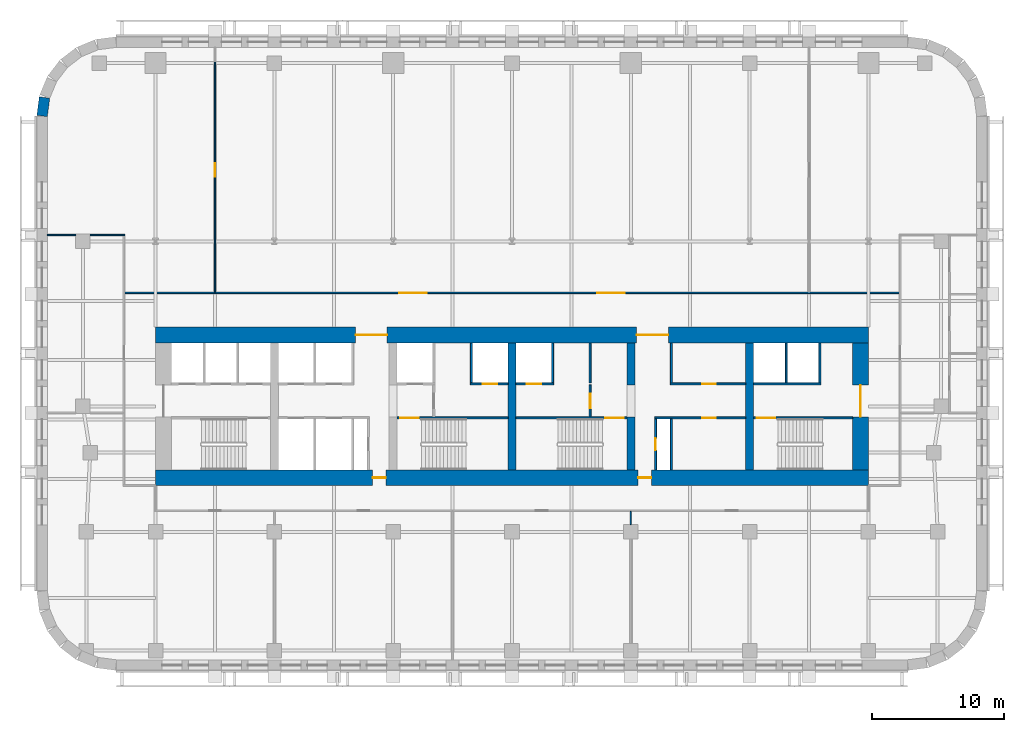
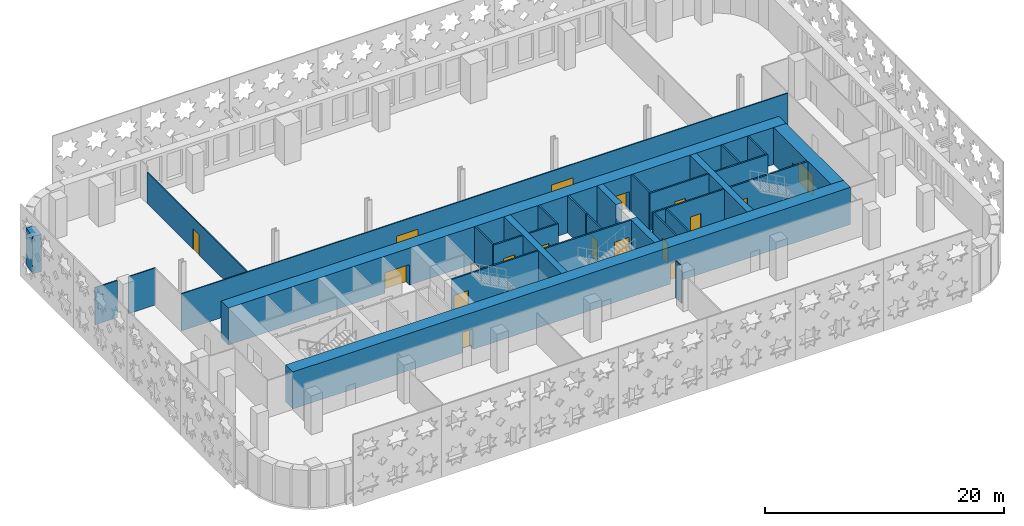
# One storey, part 5 of 13: 30 walls, 17 doors, 17 openings.
"""IFC4 building model written with IfcOpenShell, lengths in metres."""

from ifc_helpers import new_model, si_unit, direction, frame, frame_2d, origin, place, context, subcontext, project, spatial, rectangle, extrude, material, layer, layer_set, type_object, element, fill, save


model = new_model("IFC4")

# Units and contexts
model_context = context("Model", 3, precision=1e-05, world=origin(), true_north=direction((0.0, 1.0)))
body_context = subcontext(model_context, "Body", "Model", "MODEL_VIEW")
ifc_project = project(units=[si_unit("LENGTHUNIT", "METRE"), si_unit("AREAUNIT", "SQUARE_METRE"), si_unit("VOLUMEUNIT", "CUBIC_METRE"), si_unit("PLANEANGLEUNIT", "RADIAN"), si_unit("MASSUNIT", "GRAM", prefix="KILO")], contexts=[model_context])

# Site, building, storey
site_placement = place(None, origin())
site = spatial("IfcSite", under=ifc_project, at=site_placement, CompositionType="ELEMENT")
building_placement = place(site_placement, origin())
building = spatial("IfcBuilding", under=site, at=building_placement, Name="Zellij Exchange Tower", CompositionType="ELEMENT")
storey_placement = place(building_placement, frame((0.0, 0.0, 60.5)))
storey = spatial("IfcBuildingStorey", under=building, at=storey_placement, Name="L11", CompositionType="ELEMENT", Elevation=60.5)

# Walls
ifc_material_1 = material(Name="Concrete C70/85", Category="concrete")
ifc_layer_1 = layer(ifc_material_1, 0.60009765625)
ifc_layer_set_1 = layer_set([ifc_layer_1], Name="Concrete C70/85")
wall_type_1 = type_object("IfcWallType", Name="CORE-CW 600 C70/85", PredefinedType="SHEAR", material=ifc_layer_set_1)
wall_1_placement = place(storey_placement, frame((0.0, -12.800048828125, 0.0), z_axis=(0.0, 0.0, 1.0), x_axis=(0.0, 1.0, 0.0)))
element("IfcWall", 1, at=wall_1_placement, inside=storey, type_object=wall_type_1, Name="Core cross wall x 0 L11", PredefinedType="SHEAR", context=body_context, shape_type="SweptSolid", body=[
    extrude(rectangle(XDim=9.60009765625, YDim=0.60009765625, at=frame_2d((4.800048828125, 0.0))), origin(), (0.0, 0.0, 1.0), 3.800048828125),
])
wall_2_placement = place(storey_placement, frame((9.0, -12.800048828125, 0.0), z_axis=(0.0, 0.0, 1.0), x_axis=(0.0, 1.0, 0.0)))
element("IfcWall", 2, at=wall_2_placement, inside=storey, type_object=wall_type_1, Name="Core cross wall pier x 9 a L11", PredefinedType="SHEAR", context=body_context, shape_type="SweptSolid", body=[
    extrude(rectangle(XDim=4.0, YDim=0.60009765625, at=frame_2d((2.0, 0.0))), origin(), (0.0, 0.0, 1.0), 3.800048828125),
])
wall_3_placement = place(storey_placement, frame((9.0, -6.375, 0.0), z_axis=(0.0, 0.0, 1.0), x_axis=(0.0, 1.0, 0.0)))
element("IfcWall", 3, at=wall_3_placement, inside=storey, type_object=wall_type_1, Name="Core cross wall pier x 9 b L11", PredefinedType="SHEAR", context=body_context, shape_type="SweptSolid", body=[
    extrude(rectangle(XDim=3.175048828125, YDim=0.60009765625, at=frame_2d((1.58740234375, 0.0))), origin(), (0.0, 0.0, 1.0), 3.800048828125),
])
wall_4_placement = place(storey_placement, frame((18.0, -12.800048828125, 0.0), z_axis=(0.0, 0.0, 1.0), x_axis=(0.0, 1.0, 0.0)))
element("IfcWall", 4, at=wall_4_placement, inside=storey, type_object=wall_type_1, Name="Core cross wall x 18 L11", PredefinedType="SHEAR", context=body_context, shape_type="SweptSolid", body=[
    extrude(rectangle(XDim=9.60009765625, YDim=0.60009765625, at=frame_2d((4.800048828125, 0.0))), origin(), (0.0, 0.0, 1.0), 3.800048828125),
])

# Wall, opening, door
ifc_material_2 = material(Name="Gypsum shaft wall system")
ifc_layer_2 = layer(ifc_material_2, 0.14990234375)
ifc_layer_set_2 = layer_set([ifc_layer_2], Name="Gypsum shaft wall system")
wall_type_2 = type_object("IfcWallType", Name="CORE-PW 150 Firefighting lobby wall", PredefinedType="PARTITIONING", material=ifc_layer_set_2)
wall_5_placement = place(storey_placement, frame((5.925048828125, -8.800048828125, 0.0), z_axis=(0.0, 0.0, 1.0), x_axis=(0.0, 1.0, 0.0)))
wall_5 = element("IfcWall", 5, at=wall_5_placement, inside=storey, type_object=wall_type_2, Name="Firefighting lobby wall L11", PredefinedType="PARTITIONING", context=body_context, shape_type="SweptSolid", body=[
    extrude(rectangle(XDim=2.425048828125, YDim=0.14990234375, at=frame_2d((1.21240234375, 0.0))), origin(), (0.0, 0.0, 1.0), 3.800048828125),
])
opening_1_placement = place(wall_5_placement, frame((0.662109375, 0.0, 0.0)))
opening_1 = element("IfcOpeningElement", 6, at=opening_1_placement, cuts=wall_5, Name="Opening CA-07.18", PredefinedType="OPENING", context=body_context, shape_type="SweptSolid", body=[
    extrude(rectangle(XDim=1.10009765625, YDim=2.10009765625, at=frame_2d((0.550048828125, 1.050048828125))), frame((0.0, 0.0869140625, 0.0), z_axis=(0.0, -1.0, 0.0), x_axis=(1.0, 0.0, 0.0)), (0.0, 0.0, 1.0), 0.173828125),
])
ifc_material_3 = material(Name="Hollow metal fire door")
door_type_1 = type_object("IfcDoorType", Name="CORE-D F Firefighting lobby door 1100x2100 1 HR", OperationType="NOTDEFINED", PredefinedType="DOOR", material=ifc_material_3)
door_1_placement = place(opening_1_placement, origin())
door_1 = element("IfcDoor", 7, at=door_1_placement, inside=storey, type_object=door_type_1, Name="Firefighting lobby door CA-07.18", OperationType="SINGLE_SWING_RIGHT", OverallHeight=2.10009765625, OverallWidth=1.10009765625, PredefinedType="DOOR", context=body_context, shape_type="SweptSolid", body=[
    extrude(rectangle(XDim=1.10009765625, YDim=2.10009765625, at=frame_2d((0.550048828125, 1.050048828125))), frame((0.0, 0.02490234375, 0.0), z_axis=(0.0, -1.0, 0.0), x_axis=(1.0, 0.0, 0.0)), (0.0, 0.0, 1.0), 0.050048828125),
])
fill(opening_1, door_1)

# Walls
ifc_material_4 = material(Name="Gypsum board partition")
ifc_layer_3 = layer(ifc_material_4, 0.14990234375)
ifc_layer_set_3 = layer_set([ifc_layer_3], Name="Gypsum board partition")
wall_type_3 = type_object("IfcWallType", Name="CORE-PW 150 Lift lobby wall", PredefinedType="PARTITIONING", material=ifc_layer_set_3)
for number, where, z_axis, x_axis, name in (
    (8, (5.925048828125, -6.22509765625, 0.0), (0.0, 0.0, 1.0), (0.0, 1.0, 0.0), "Lift lobby wall L11"),
    (9, (12.074951171875, -6.22509765625, 0.0), (0.0, 0.0, 1.0), (0.0, 1.0, 0.0), "Lift lobby wall L11"),
):
    element("IfcWall", number, at=place(storey_placement, frame(where, z_axis=z_axis, x_axis=x_axis)), inside=storey, type_object=wall_type_3, Name=name, PredefinedType="PARTITIONING", context=body_context, shape_type="SweptSolid", body=[
        extrude(rectangle(XDim=3.025146484375, YDim=0.14990234375, at=frame_2d((1.5126953125, 0.0))), origin(), (0.0, 0.0, 1.0), 3.800048828125),
    ])

# Wall, opening, door
wall_6_placement = place(storey_placement, frame((10.875, -12.800048828125, 0.0), z_axis=(0.0, 0.0, 1.0), x_axis=(0.0, 1.0, 0.0)))
wall_6 = element("IfcWall", 10, at=wall_6_placement, inside=storey, type_object=wall_type_3, Name="Lift lobby wall L11", PredefinedType="PARTITIONING", context=body_context, shape_type="SweptSolid", body=[
    extrude(rectangle(XDim=3.85009765625, YDim=0.14990234375, at=frame_2d((1.925048828125, 0.0))), origin(), (0.0, 0.0, 1.0), 3.800048828125),
])
opening_2_placement = place(wall_6_placement, frame((1.47509765625, 0.0, 0.0)))
opening_2 = element("IfcOpeningElement", 11, at=opening_2_placement, cuts=wall_6, Name="Opening CA-07.22", PredefinedType="OPENING", context=body_context, shape_type="SweptSolid", body=[
    extrude(rectangle(XDim=0.89990234375, YDim=2.10009765625, at=frame_2d((0.449951171875, 1.050048828125))), frame((0.0, 0.0869140625, 0.0), z_axis=(0.0, -1.0, 0.0), x_axis=(1.0, 0.0, 0.0)), (0.0, 0.0, 1.0), 0.173828125),
])
door_type_2 = type_object("IfcDoorType", Name="CORE-D RD Riser door 900x2100 1.5 HR", OperationType="NOTDEFINED", PredefinedType="DOOR", material=ifc_material_3)
door_2_placement = place(opening_2_placement, origin())
door_2 = element("IfcDoor", 12, at=door_2_placement, inside=storey, type_object=door_type_2, Name="Riser door CA-07.22", OperationType="SINGLE_SWING_LEFT", OverallHeight=2.10009765625, OverallWidth=0.89990234375, PredefinedType="DOOR", context=body_context, shape_type="SweptSolid", body=[
    extrude(rectangle(XDim=0.89990234375, YDim=2.10009765625, at=frame_2d((0.449951171875, 1.050048828125))), frame((0.0, 0.02490234375, 0.0), z_axis=(0.0, -1.0, 0.0), x_axis=(1.0, 0.0, 0.0)), (0.0, 0.0, 1.0), 0.050048828125),
])
fill(opening_2, door_2)

# Wall
wall_7_placement = place(storey_placement, frame((12.074951171875, -12.800048828125, 0.0), z_axis=(0.0, 0.0, 1.0), x_axis=(0.0, 1.0, 0.0)))
element("IfcWall", 13, at=wall_7_placement, inside=storey, type_object=wall_type_3, Name="Lift lobby wall L11", PredefinedType="PARTITIONING", context=body_context, shape_type="SweptSolid", body=[
    extrude(rectangle(XDim=3.85009765625, YDim=0.14990234375, at=frame_2d((1.925048828125, 0.0))), origin(), (0.0, 0.0, 1.0), 3.800048828125),
])

# Wall, opening, door
wall_8_placement = place(storey_placement, frame((12.0, -6.300048828125, 0.0), z_axis=(0.0, 0.0, 1.0), x_axis=(1.0, 0.0, 0.0)))
wall_8 = element("IfcWall", 14, at=wall_8_placement, inside=storey, type_object=wall_type_3, Name="Lift lobby wall L11", PredefinedType="PARTITIONING", context=body_context, shape_type="SweptSolid", body=[
    extrude(rectangle(XDim=5.699951171875, YDim=0.14990234375, at=frame_2d((2.85009765625, 0.0))), origin(), (0.0, 0.0, 1.0), 3.800048828125),
])
opening_3_placement = place(wall_8_placement, frame((2.425048828125, 0.0, 0.0)))
opening_3 = element("IfcOpeningElement", 15, at=opening_3_placement, cuts=wall_8, Name="Opening CA-07.24", PredefinedType="OPENING", context=body_context, shape_type="SweptSolid", body=[
    extrude(rectangle(XDim=1.0, YDim=2.10009765625, at=frame_2d((0.5, 1.050048828125))), frame((0.0, 0.0869140625, 0.0), z_axis=(0.0, -1.0, 0.0), x_axis=(1.0, 0.0, 0.0)), (0.0, 0.0, 1.0), 0.173828125),
])
door_type_3 = type_object("IfcDoorType", Name="CORE-D CD Core room door 1000x2100 1 HR", OperationType="NOTDEFINED", PredefinedType="DOOR", material=ifc_material_3)
door_3_placement = place(opening_3_placement, origin())
door_3 = element("IfcDoor", 16, at=door_3_placement, inside=storey, type_object=door_type_3, Name="Core room door CA-07.24", OperationType="SINGLE_SWING_RIGHT", OverallHeight=2.10009765625, OverallWidth=1.0, PredefinedType="DOOR", context=body_context, shape_type="SweptSolid", body=[
    extrude(rectangle(XDim=1.0, YDim=2.10009765625, at=frame_2d((0.5, 1.050048828125))), frame((0.0, 0.02490234375, 0.0), z_axis=(0.0, -1.0, 0.0), x_axis=(1.0, 0.0, 0.0)), (0.0, 0.0, 1.0), 0.050048828125),
])
fill(opening_3, door_3)

wall_9_placement = place(storey_placement, frame((10.800048828125, -8.875, 0.0), z_axis=(0.0, 0.0, 1.0), x_axis=(1.0, 0.0, 0.0)))
wall_9 = element("IfcWall", 17, at=wall_9_placement, inside=storey, type_object=wall_type_3, Name="Lift lobby wall L11", PredefinedType="PARTITIONING", context=body_context, shape_type="SweptSolid", body=[
    extrude(rectangle(XDim=6.89990234375, YDim=0.14990234375, at=frame_2d((3.449951171875, 0.0))), origin(), (0.0, 0.0, 1.0), 3.800048828125),
])
opening_4_placement = place(wall_9_placement, frame((3.625, 0.0, 0.0)))
opening_4 = element("IfcOpeningElement", 18, at=opening_4_placement, cuts=wall_9, Name="Opening CA-07.23", PredefinedType="OPENING", context=body_context, shape_type="SweptSolid", body=[
    extrude(rectangle(XDim=1.0, YDim=2.10009765625, at=frame_2d((0.5, 1.050048828125))), frame((0.0, 0.0869140625, 0.0), z_axis=(0.0, -1.0, 0.0), x_axis=(1.0, 0.0, 0.0)), (0.0, 0.0, 1.0), 0.173828125),
])
door_4_placement = place(opening_4_placement, origin())
door_4 = element("IfcDoor", 19, at=door_4_placement, inside=storey, type_object=door_type_3, Name="Core room door CA-07.23", OperationType="SINGLE_SWING_LEFT", OverallHeight=2.10009765625, OverallWidth=1.0, PredefinedType="DOOR", context=body_context, shape_type="SweptSolid", body=[
    extrude(rectangle(XDim=1.0, YDim=2.10009765625, at=frame_2d((0.5, 1.050048828125))), frame((0.0, 0.02490234375, 0.0), z_axis=(0.0, -1.0, 0.0), x_axis=(1.0, 0.0, 0.0)), (0.0, 0.0, 1.0), 0.050048828125),
])
fill(opening_4, door_4)

# Walls
ifc_layer_4 = layer(ifc_material_2, 0.14990234375)
ifc_layer_set_4 = layer_set([ifc_layer_4], Name="Gypsum shaft wall system")
wall_type_4 = type_object("IfcWallType", Name="CORE-PW 150 Lift shaft wall", PredefinedType="PARTITIONING", material=ifc_layer_set_4)
for number, where, z_axis, x_axis, name in (
    (20, (-3.074951171875, -6.22509765625, 0.0), (0.0, 0.0, 1.0), (0.0, 1.0, 0.0), "Lift shaft wall L11"),
    (21, (3.074951171875, -6.22509765625, 0.0), (0.0, 0.0, 1.0), (0.0, 1.0, 0.0), "Lift shaft wall L11"),
    (22, (20.77490234375, -6.22509765625, 0.0), (0.0, 0.0, 1.0), (0.0, 1.0, 0.0), "Lift shaft wall L11"),
    (23, (23.324951171875, -6.22509765625, 0.0), (0.0, 0.0, 1.0), (0.0, 1.0, 0.0), "Lift shaft wall L11"),
):
    element("IfcWall", number, at=place(storey_placement, frame(where, z_axis=z_axis, x_axis=x_axis)), inside=storey, type_object=wall_type_4, Name=name, PredefinedType="PARTITIONING", context=body_context, shape_type="SweptSolid", body=[
        extrude(rectangle(XDim=3.025146484375, YDim=0.14990234375, at=frame_2d((1.5126953125, 0.0))), origin(), (0.0, 0.0, 1.0), 3.800048828125),
    ])

# Wall, opening, door
wall_10_placement = place(storey_placement, frame((-3.14990234375, -6.300048828125, 0.0), z_axis=(0.0, 0.0, 1.0), x_axis=(1.0, 0.0, 0.0)))
wall_10 = element("IfcWall", 24, at=wall_10_placement, inside=storey, type_object=wall_type_4, Name="Lift shaft wall L11", PredefinedType="PARTITIONING", context=body_context, shape_type="SweptSolid", body=[
    extrude(rectangle(XDim=2.849853515625, YDim=0.14990234375, at=frame_2d((1.4248046875, 0.0))), origin(), (0.0, 0.0, 1.0), 3.800048828125),
])
opening_5_placement = place(wall_10_placement, frame((0.949951171875, 0.0, 0.0)))
opening_5 = element("IfcOpeningElement", 25, at=opening_5_placement, cuts=wall_10, Name="Opening CA-07.16", PredefinedType="OPENING", context=body_context, shape_type="SweptSolid", body=[
    extrude(rectangle(XDim=1.10009765625, YDim=2.10009765625, at=frame_2d((0.550048828125, 1.050048828125))), frame((0.0, 0.0869140625, 0.0), z_axis=(0.0, -1.0, 0.0), x_axis=(1.0, 0.0, 0.0)), (0.0, 0.0, 1.0), 0.173828125),
])
door_type_4 = type_object("IfcDoorType", Name="CORE-D LD Lift landing door 1100x2100 1.5 HR", OperationType="NOTDEFINED", PredefinedType="DOOR", material=ifc_material_3)
door_5_placement = place(opening_5_placement, origin())
door_5 = element("IfcDoor", 26, at=door_5_placement, inside=storey, type_object=door_type_4, Name="Lift landing door CA-07.16", OperationType="SLIDING_TO_RIGHT", OverallHeight=2.10009765625, OverallWidth=1.10009765625, PredefinedType="DOOR", context=body_context, shape_type="SweptSolid", body=[
    extrude(rectangle(XDim=1.10009765625, YDim=2.10009765625, at=frame_2d((0.550048828125, 1.050048828125))), frame((0.0, 0.02490234375, 0.0), z_axis=(0.0, -1.0, 0.0), x_axis=(1.0, 0.0, 0.0)), (0.0, 0.0, 1.0), 0.050048828125),
])
fill(opening_5, door_5)

wall_11_placement = place(storey_placement, frame((0.300048828125, -6.300048828125, 0.0), z_axis=(0.0, 0.0, 1.0), x_axis=(1.0, 0.0, 0.0)))
wall_11 = element("IfcWall", 27, at=wall_11_placement, inside=storey, type_object=wall_type_4, Name="Lift shaft wall L11", PredefinedType="PARTITIONING", context=body_context, shape_type="SweptSolid", body=[
    extrude(rectangle(XDim=2.849853515625, YDim=0.14990234375, at=frame_2d((1.4248046875, 0.0))), origin(), (0.0, 0.0, 1.0), 3.800048828125),
])
opening_6_placement = place(wall_11_placement, frame((0.800048828125, 0.0, 0.0)))
opening_6 = element("IfcOpeningElement", 28, at=opening_6_placement, cuts=wall_11, Name="Opening CA-07.17", PredefinedType="OPENING", context=body_context, shape_type="SweptSolid", body=[
    extrude(rectangle(XDim=1.10009765625, YDim=2.10009765625, at=frame_2d((0.550048828125, 1.050048828125))), frame((0.0, 0.0869140625, 0.0), z_axis=(0.0, -1.0, 0.0), x_axis=(1.0, 0.0, 0.0)), (0.0, 0.0, 1.0), 0.173828125),
])
door_6_placement = place(opening_6_placement, origin())
door_6 = element("IfcDoor", 29, at=door_6_placement, inside=storey, type_object=door_type_4, Name="Lift landing door CA-07.17", OperationType="SLIDING_TO_LEFT", OverallHeight=2.10009765625, OverallWidth=1.10009765625, PredefinedType="DOOR", context=body_context, shape_type="SweptSolid", body=[
    extrude(rectangle(XDim=1.10009765625, YDim=2.10009765625, at=frame_2d((0.550048828125, 1.050048828125))), frame((0.0, 0.02490234375, 0.0), z_axis=(0.0, -1.0, 0.0), x_axis=(1.0, 0.0, 0.0)), (0.0, 0.0, 1.0), 0.050048828125),
])
fill(opening_6, door_6)

# Wall
wall_12_placement = place(storey_placement, frame((18.300048828125, -6.300048828125, 0.0), z_axis=(0.0, 0.0, 1.0), x_axis=(1.0, 0.0, 0.0)))
element("IfcWall", 30, at=wall_12_placement, inside=storey, type_object=wall_type_4, Name="Lift shaft wall L11", PredefinedType="PARTITIONING", context=body_context, shape_type="SweptSolid", body=[
    extrude(rectangle(XDim=5.099853515625, YDim=0.14990234375, at=frame_2d((2.5498046875, 0.0))), origin(), (0.0, 0.0, 1.0), 3.800048828125),
])

# Wall, openings, doors
ifc_layer_5 = layer(ifc_material_1, 1.199951171875)
ifc_layer_set_5 = layer_set([ifc_layer_5], Name="Concrete C70/85")
wall_type_5 = type_object("IfcWallType", Name="CORE-SW 1200 C70/85", PredefinedType="SHEAR", material=ifc_layer_set_5)
wall_13_placement = place(storey_placement, frame((-27.0, -2.60009765625, 0.0), z_axis=(0.0, 0.0, 1.0), x_axis=(1.0, 0.0, 0.0)))
wall_13 = element("IfcWall", 31, at=wall_13_placement, inside=storey, type_object=wall_type_5, Name="Core shear wall front L11", PredefinedType="SHEAR", context=body_context, shape_type="SweptSolid", body=[
    extrude(rectangle(XDim=54.0, YDim=1.199951171875, at=frame_2d((27.0, 0.0))), origin(), (0.0, 0.0, 1.0), 3.800048828125),
])
opening_7_placement = place(wall_13_placement, frame((15.14990234375, 0.0, 0.0)))
opening_7 = element("IfcOpeningElement", 32, at=opening_7_placement, cuts=wall_13, Name="Opening CA-07.11", PredefinedType="OPENING", context=body_context, shape_type="SweptSolid", body=[
    extrude(rectangle(XDim=2.39990234375, YDim=2.10009765625, at=frame_2d((1.199951171875, 1.050048828125))), frame((0.0, 0.61181640625, 0.0), z_axis=(0.0, -1.0, 0.0), x_axis=(1.0, 0.0, 0.0)), (0.0, 0.0, 1.0), 1.223876953125),
])
opening_8_placement = place(wall_13_placement, frame((36.449951171875, 0.0, 0.0)))
opening_8 = element("IfcOpeningElement", 33, at=opening_8_placement, cuts=wall_13, Name="Opening CA-07.21", PredefinedType="OPENING", context=body_context, shape_type="SweptSolid", body=[
    extrude(rectangle(XDim=2.39990234375, YDim=2.10009765625, at=frame_2d((1.199951171875, 1.050048828125))), frame((0.0, 0.61181640625, 0.0), z_axis=(0.0, -1.0, 0.0), x_axis=(1.0, 0.0, 0.0)), (0.0, 0.0, 1.0), 1.223876953125),
])
door_type_5 = type_object("IfcDoorType", Name="CORE-D CE Core entrance door 2400x2100 20 MIN", OperationType="NOTDEFINED", PredefinedType="DOOR", material=ifc_material_3)
door_7_placement = place(opening_7_placement, origin())
door_7 = element("IfcDoor", 34, at=door_7_placement, inside=storey, type_object=door_type_5, Name="Core entrance door CA-07.11", OperationType="DOUBLE_DOOR_SINGLE_SWING", OverallHeight=2.10009765625, OverallWidth=2.39990234375, PredefinedType="DOOR", context=body_context, shape_type="SweptSolid", body=[
    extrude(rectangle(XDim=2.39990234375, YDim=2.10009765625, at=frame_2d((1.199951171875, 1.050048828125))), frame((0.0, 0.02490234375, 0.0), z_axis=(0.0, -1.0, 0.0), x_axis=(1.0, 0.0, 0.0)), (0.0, 0.0, 1.0), 0.050048828125),
])
fill(opening_7, door_7)
door_8_placement = place(opening_8_placement, origin())
door_8 = element("IfcDoor", 35, at=door_8_placement, inside=storey, type_object=door_type_5, Name="Core entrance door CA-07.21", OperationType="DOUBLE_DOOR_SINGLE_SWING", OverallHeight=2.10009765625, OverallWidth=2.39990234375, PredefinedType="DOOR", context=body_context, shape_type="SweptSolid", body=[
    extrude(rectangle(XDim=2.39990234375, YDim=2.10009765625, at=frame_2d((1.199951171875, 1.050048828125))), frame((0.0, 0.02490234375, 0.0), z_axis=(0.0, -1.0, 0.0), x_axis=(1.0, 0.0, 0.0)), (0.0, 0.0, 1.0), 0.050048828125),
])
fill(opening_8, door_8)

wall_14_placement = place(storey_placement, frame((-27.0, -13.39990234375, 0.0), z_axis=(0.0, 0.0, 1.0), x_axis=(1.0, 0.0, 0.0)))
wall_14 = element("IfcWall", 36, at=wall_14_placement, inside=storey, type_object=wall_type_5, Name="Core shear wall rear L11", PredefinedType="SHEAR", context=body_context, shape_type="SweptSolid", body=[
    extrude(rectangle(XDim=54.0, YDim=1.199951171875, at=frame_2d((27.0, 0.0))), origin(), (0.0, 0.0, 1.0), 3.800048828125),
])
opening_9_placement = place(wall_14_placement, frame((16.449951171875, 0.0, 0.0)))
opening_9 = element("IfcOpeningElement", 37, at=opening_9_placement, cuts=wall_14, Name="Opening CA-07.12", PredefinedType="OPENING", context=body_context, shape_type="SweptSolid", body=[
    extrude(rectangle(XDim=1.0, YDim=2.10009765625, at=frame_2d((0.5, 1.050048828125))), frame((0.0, 0.61181640625, 0.0), z_axis=(0.0, -1.0, 0.0), x_axis=(1.0, 0.0, 0.0)), (0.0, 0.0, 1.0), 1.223876953125),
])
opening_10_placement = place(wall_14_placement, frame((36.550048828125, 0.0, 0.0)))
opening_10 = element("IfcOpeningElement", 38, at=opening_10_placement, cuts=wall_14, Name="Opening CA-07.20", PredefinedType="OPENING", context=body_context, shape_type="SweptSolid", body=[
    extrude(rectangle(XDim=1.0, YDim=2.10009765625, at=frame_2d((0.5, 1.050048828125))), frame((0.0, 0.61181640625, 0.0), z_axis=(0.0, -1.0, 0.0), x_axis=(1.0, 0.0, 0.0)), (0.0, 0.0, 1.0), 1.223876953125),
])
door_type_6 = type_object("IfcDoorType", Name="CORE-D CR Core rear door 1000x2100 20 MIN", OperationType="NOTDEFINED", PredefinedType="DOOR", material=ifc_material_3)
door_9_placement = place(opening_9_placement, origin())
door_9 = element("IfcDoor", 39, at=door_9_placement, inside=storey, type_object=door_type_6, Name="Core rear door CA-07.12", OperationType="SINGLE_SWING_RIGHT", OverallHeight=2.10009765625, OverallWidth=1.0, PredefinedType="DOOR", context=body_context, shape_type="SweptSolid", body=[
    extrude(rectangle(XDim=1.0, YDim=2.10009765625, at=frame_2d((0.5, 1.050048828125))), frame((0.0, 0.02490234375, 0.0), z_axis=(0.0, -1.0, 0.0), x_axis=(1.0, 0.0, 0.0)), (0.0, 0.0, 1.0), 0.050048828125),
])
fill(opening_9, door_9)
door_10_placement = place(opening_10_placement, origin())
door_10 = element("IfcDoor", 40, at=door_10_placement, inside=storey, type_object=door_type_6, Name="Core rear door CA-07.20", OperationType="SINGLE_SWING_LEFT", OverallHeight=2.10009765625, OverallWidth=1.0, PredefinedType="DOOR", context=body_context, shape_type="SweptSolid", body=[
    extrude(rectangle(XDim=1.0, YDim=2.10009765625, at=frame_2d((0.5, 1.050048828125))), frame((0.0, 0.02490234375, 0.0), z_axis=(0.0, -1.0, 0.0), x_axis=(1.0, 0.0, 0.0)), (0.0, 0.0, 1.0), 0.050048828125),
])
fill(opening_10, door_10)

# Wall, opening, door
wall_15_placement = place(storey_placement, frame((26.39990234375, -12.800048828125, 0.0), z_axis=(0.0, 0.0, 1.0), x_axis=(0.0, 1.0, 0.0)))
wall_15 = element("IfcWall", 41, at=wall_15_placement, inside=storey, type_object=wall_type_5, Name="Core shear wall end e L11", PredefinedType="SHEAR", context=body_context, shape_type="SweptSolid", body=[
    extrude(rectangle(XDim=9.60009765625, YDim=1.199951171875, at=frame_2d((4.800048828125, 0.0))), origin(), (0.0, 0.0, 1.0), 3.800048828125),
])
opening_11_placement = place(wall_15_placement, frame((4.011962890625, 0.0, 0.0)))
opening_11 = element("IfcOpeningElement", 42, at=opening_11_placement, cuts=wall_15, Name="Opening CA-07.26", PredefinedType="OPENING", context=body_context, shape_type="SweptSolid", body=[
    extrude(rectangle(XDim=2.39990234375, YDim=2.10009765625, at=frame_2d((1.199951171875, 1.050048828125))), frame((0.0, 0.61181640625, 0.0), z_axis=(0.0, -1.0, 0.0), x_axis=(1.0, 0.0, 0.0)), (0.0, 0.0, 1.0), 1.223876953125),
])
door_11_placement = place(opening_11_placement, origin())
door_11 = element("IfcDoor", 43, at=door_11_placement, inside=storey, type_object=door_type_5, Name="Core entrance door CA-07.26", OperationType="DOUBLE_DOOR_SINGLE_SWING", OverallHeight=2.10009765625, OverallWidth=2.39990234375, PredefinedType="DOOR", context=body_context, shape_type="SweptSolid", body=[
    extrude(rectangle(XDim=2.39990234375, YDim=2.10009765625, at=frame_2d((1.199951171875, 1.050048828125))), frame((0.0, 0.02490234375, 0.0), z_axis=(0.0, -1.0, 0.0), x_axis=(1.0, 0.0, 0.0)), (0.0, 0.0, 1.0), 0.050048828125),
])
fill(opening_11, door_11)

ifc_layer_6 = layer(ifc_material_1, 0.14990234375)
ifc_layer_set_6 = layer_set([ifc_layer_6], Name="Concrete C70/85")
wall_type_6 = type_object("IfcWallType", Name="CORE-SWS 150 C70/85", PredefinedType="SHEAR", material=ifc_layer_set_6)
wall_16_placement = place(storey_placement, frame((-8.699951171875, -8.875, 0.0), z_axis=(0.0, 0.0, 1.0), x_axis=(1.0, 0.0, 0.0)))
wall_16 = element("IfcWall", 44, at=wall_16_placement, inside=storey, type_object=wall_type_6, Name="Stair enclosure wall L11", PredefinedType="SHEAR", context=body_context, shape_type="SweptSolid", body=[
    extrude(rectangle(XDim=8.39990234375, YDim=0.14990234375, at=frame_2d((4.199951171875, 0.0))), origin(), (0.0, 0.0, 1.0), 3.800048828125),
])
opening_12_placement = place(wall_16_placement, frame((0.22509765625, 0.0, 0.0)))
opening_12 = element("IfcOpeningElement", 45, at=opening_12_placement, cuts=wall_16, Name="Opening CA-07.13", PredefinedType="OPENING", context=body_context, shape_type="SweptSolid", body=[
    extrude(rectangle(XDim=1.39990234375, YDim=2.10009765625, at=frame_2d((0.699951171875, 1.050048828125))), frame((0.0, 0.0869140625, 0.0), z_axis=(0.0, -1.0, 0.0), x_axis=(1.0, 0.0, 0.0)), (0.0, 0.0, 1.0), 0.173828125),
])
door_type_7 = type_object("IfcDoorType", Name="CORE-D SD Stair door 1400x2100 1.5 HR", OperationType="NOTDEFINED", PredefinedType="DOOR", material=ifc_material_3)
door_12_placement = place(opening_12_placement, origin())
door_12 = element("IfcDoor", 46, at=door_12_placement, inside=storey, type_object=door_type_7, Name="Stair door CA-07.13", OperationType="DOUBLE_DOOR_SINGLE_SWING", OverallHeight=2.10009765625, OverallWidth=1.39990234375, PredefinedType="DOOR", context=body_context, shape_type="SweptSolid", body=[
    extrude(rectangle(XDim=1.39990234375, YDim=2.10009765625, at=frame_2d((0.699951171875, 1.050048828125))), frame((0.0, 0.02490234375, 0.0), z_axis=(0.0, -1.0, 0.0), x_axis=(1.0, 0.0, 0.0)), (0.0, 0.0, 1.0), 0.050048828125),
])
fill(opening_12, door_12)

wall_17_placement = place(storey_placement, frame((0.300048828125, -8.875, 0.0), z_axis=(0.0, 0.0, 1.0), x_axis=(1.0, 0.0, 0.0)))
wall_17 = element("IfcWall", 47, at=wall_17_placement, inside=storey, type_object=wall_type_6, Name="Stair enclosure wall L11", PredefinedType="SHEAR", context=body_context, shape_type="SweptSolid", body=[
    extrude(rectangle(XDim=8.39990234375, YDim=0.14990234375, at=frame_2d((4.199951171875, 0.0))), origin(), (0.0, 0.0, 1.0), 3.800048828125),
])
opening_13_placement = place(wall_17_placement, frame((6.77490234375, 0.0, 0.0)))
opening_13 = element("IfcOpeningElement", 48, at=opening_13_placement, cuts=wall_17, Name="Opening CA-07.19", PredefinedType="OPENING", context=body_context, shape_type="SweptSolid", body=[
    extrude(rectangle(XDim=1.39990234375, YDim=2.10009765625, at=frame_2d((0.699951171875, 1.050048828125))), frame((0.0, 0.0869140625, 0.0), z_axis=(0.0, -1.0, 0.0), x_axis=(1.0, 0.0, 0.0)), (0.0, 0.0, 1.0), 0.173828125),
])
door_13_placement = place(opening_13_placement, origin())
door_13 = element("IfcDoor", 49, at=door_13_placement, inside=storey, type_object=door_type_7, Name="Stair door CA-07.19", OperationType="DOUBLE_DOOR_SINGLE_SWING", OverallHeight=2.10009765625, OverallWidth=1.39990234375, PredefinedType="DOOR", context=body_context, shape_type="SweptSolid", body=[
    extrude(rectangle(XDim=1.39990234375, YDim=2.10009765625, at=frame_2d((0.699951171875, 1.050048828125))), frame((0.0, 0.02490234375, 0.0), z_axis=(0.0, -1.0, 0.0), x_axis=(1.0, 0.0, 0.0)), (0.0, 0.0, 1.0), 0.050048828125),
])
fill(opening_13, door_13)

wall_18_placement = place(storey_placement, frame((18.300048828125, -8.875, 0.0), z_axis=(0.0, 0.0, 1.0), x_axis=(1.0, 0.0, 0.0)))
wall_18 = element("IfcWall", 50, at=wall_18_placement, inside=storey, type_object=wall_type_6, Name="Stair enclosure wall L11", PredefinedType="SHEAR", context=body_context, shape_type="SweptSolid", body=[
    extrude(rectangle(XDim=7.5, YDim=0.14990234375, at=frame_2d((3.75, 0.0))), origin(), (0.0, 0.0, 1.0), 3.800048828125),
])
opening_14_placement = place(wall_18_placement, frame((0.22509765625, 0.0, 0.0)))
opening_14 = element("IfcOpeningElement", 51, at=opening_14_placement, cuts=wall_18, Name="Opening CA-07.25", PredefinedType="OPENING", context=body_context, shape_type="SweptSolid", body=[
    extrude(rectangle(XDim=1.39990234375, YDim=2.10009765625, at=frame_2d((0.699951171875, 1.050048828125))), frame((0.0, 0.0869140625, 0.0), z_axis=(0.0, -1.0, 0.0), x_axis=(1.0, 0.0, 0.0)), (0.0, 0.0, 1.0), 0.173828125),
])
door_14_placement = place(opening_14_placement, origin())
door_14 = element("IfcDoor", 52, at=door_14_placement, inside=storey, type_object=door_type_7, Name="Stair door CA-07.25", OperationType="DOUBLE_DOOR_SINGLE_SWING", OverallHeight=2.10009765625, OverallWidth=1.39990234375, PredefinedType="DOOR", context=body_context, shape_type="SweptSolid", body=[
    extrude(rectangle(XDim=1.39990234375, YDim=2.10009765625, at=frame_2d((0.699951171875, 1.050048828125))), frame((0.0, 0.02490234375, 0.0), z_axis=(0.0, -1.0, 0.0), x_axis=(1.0, 0.0, 0.0)), (0.0, 0.0, 1.0), 0.050048828125),
])
fill(opening_14, door_14)

# Walls
ifc_material_5 = material(Name="Precast concrete C40/50", Category="concrete")
ifc_layer_7 = layer(ifc_material_5, 0.800048828125)
ifc_layer_set_7 = layer_set([ifc_layer_7], Name="Precast concrete C40/50")
wall_type_7 = type_object("IfcWallType", Name="ENV-EW1 Precast stone-piered wall 800", PredefinedType="SOLIDWALL", material=ifc_layer_set_7)
wall_19_placement = place(storey_placement, frame((-35.412841796875, 15.396240234375, 0.0), z_axis=(0.0, 0.0, 1.0), x_axis=(-0.130517283865, -0.99144603414, 0.0)))
element("IfcWall", 53, at=wall_19_placement, inside=storey, type_object=wall_type_7, Name="fac.L11.20", PredefinedType="SOLIDWALL", context=body_context, shape_type="SweptSolid", body=[
    extrude(rectangle(XDim=1.408447265625, YDim=0.800048828125, at=frame_2d((0.7041015625, 0.0))), origin(), (0.0, 0.0, 1.0), 3.800048828125),
])
ifc_material_6 = material(Name="Gypsum board partition on steel studs", Category="steel")
ifc_layer_8 = layer(ifc_material_6, 0.10009765625)
ifc_layer_set_8 = layer_set([ifc_layer_8], Name="Gypsum board partition on steel studs")
wall_type_8 = type_object("IfcWallType", Name="FIT-PARTITION-100", PredefinedType="PARTITIONING", material=ifc_layer_set_8)
wall_20_placement = place(storey_placement, frame((9.0, -16.949951171875, 0.0), z_axis=(0.0, 0.0, 1.0), x_axis=(0.0, 1.0, 0.0)))
element("IfcWall", 54, at=wall_20_placement, inside=storey, type_object=wall_type_8, Name="FIT-PARTITION-100 006", PredefinedType="PARTITIONING", context=body_context, shape_type="SweptSolid", body=[
    extrude(rectangle(XDim=1.0, YDim=0.10009765625, at=frame_2d((0.5, 0.0))), origin(), (0.0, 0.0, 1.0), 3.800048828125),
])

# Wall, openings, doors
wall_21_placement = place(storey_placement, frame((-29.35009765625, 0.60009765625, 0.0), z_axis=(0.0, 0.0, 1.0), x_axis=(1.0, 0.0, 0.0)))
wall_21 = element("IfcWall", 55, at=wall_21_placement, inside=storey, type_object=wall_type_8, Name="FIT-PARTITION-100 021", PredefinedType="PARTITIONING", context=body_context, shape_type="SweptSolid", body=[
    extrude(rectangle(XDim=58.7001953125, YDim=0.10009765625, at=frame_2d((29.35009765625, 0.0))), origin(), (0.0, 0.0, 1.0), 3.800048828125),
])
opening_15_placement = place(wall_21_placement, frame((20.800048828125, 0.0, 0.0)))
opening_15 = element("IfcOpeningElement", 56, at=opening_15_placement, cuts=wall_21, Name="Opening TA.09", PredefinedType="OPENING", context=body_context, shape_type="SweptSolid", body=[
    extrude(rectangle(XDim=2.10009765625, YDim=2.39990234375, at=frame_2d((1.050048828125, 1.199951171875))), frame((0.0, 0.06201171875, 0.0), z_axis=(0.0, -1.0, 0.0), x_axis=(1.0, 0.0, 0.0)), (0.0, 0.0, 1.0), 0.1240234375),
])
opening_16_placement = place(wall_21_placement, frame((35.800048828125, 0.0, 0.0)))
opening_16 = element("IfcOpeningElement", 57, at=opening_16_placement, cuts=wall_21, Name="Opening TA.10", PredefinedType="OPENING", context=body_context, shape_type="SweptSolid", body=[
    extrude(rectangle(XDim=2.10009765625, YDim=2.39990234375, at=frame_2d((1.050048828125, 1.199951171875))), frame((0.0, 0.06201171875, 0.0), z_axis=(0.0, -1.0, 0.0), x_axis=(1.0, 0.0, 0.0)), (0.0, 0.0, 1.0), 0.1240234375),
])
ifc_material_7 = material(Name="Timber door set", Category="wood")
door_type_8 = type_object("IfcDoorType", Name="FIT-D7-ASSEMBLY-2100X2400", OperationType="DOUBLE_DOOR_SINGLE_SWING", PredefinedType="DOOR", material=ifc_material_7)
door_15_placement = place(opening_15_placement, origin())
door_15 = element("IfcDoor", 58, at=door_15_placement, inside=storey, type_object=door_type_8, Name="Door TA.09", OperationType="DOUBLE_DOOR_SINGLE_SWING", OverallHeight=2.39990234375, OverallWidth=2.10009765625, PredefinedType="DOOR", context=body_context, shape_type="SweptSolid", body=[
    extrude(rectangle(XDim=2.10009765625, YDim=2.39990234375, at=frame_2d((1.050048828125, 1.199951171875))), frame((0.0, 0.02490234375, 0.0), z_axis=(0.0, -1.0, 0.0), x_axis=(1.0, 0.0, 0.0)), (0.0, 0.0, 1.0), 0.050048828125),
])
fill(opening_15, door_15)
door_16_placement = place(opening_16_placement, origin())
door_16 = element("IfcDoor", 59, at=door_16_placement, inside=storey, type_object=door_type_8, Name="Door TA.10", OperationType="DOUBLE_DOOR_SINGLE_SWING", OverallHeight=2.39990234375, OverallWidth=2.10009765625, PredefinedType="DOOR", context=body_context, shape_type="SweptSolid", body=[
    extrude(rectangle(XDim=2.10009765625, YDim=2.39990234375, at=frame_2d((1.050048828125, 1.199951171875))), frame((0.0, 0.02490234375, 0.0), z_axis=(0.0, -1.0, 0.0), x_axis=(1.0, 0.0, 0.0)), (0.0, 0.0, 1.0), 0.050048828125),
])
fill(opening_16, door_16)

# Wall, opening, door
wall_22_placement = place(storey_placement, frame((-22.5, 0.64990234375, 0.0), z_axis=(0.0, 0.0, 1.0), x_axis=(0.0, 1.0, 0.0)))
wall_22 = element("IfcWall", 60, at=wall_22_placement, inside=storey, type_object=wall_type_8, Name="FIT-PARTITION-100 022", PredefinedType="PARTITIONING", context=body_context, shape_type="SweptSolid", body=[
    extrude(rectangle(XDim=17.464599609375, YDim=0.10009765625, at=frame_2d((8.732421875, 0.0))), origin(), (0.0, 0.0, 1.0), 3.197998046875),
])
opening_17_placement = place(wall_22_placement, frame((8.75, 0.0, 0.0)))
opening_17 = element("IfcOpeningElement", 61, at=opening_17_placement, cuts=wall_22, Name="Opening TA.12", PredefinedType="OPENING", context=body_context, shape_type="SweptSolid", body=[
    extrude(rectangle(XDim=1.0, YDim=2.10009765625, at=frame_2d((0.5, 1.050048828125))), frame((0.0, 0.06201171875, 0.0), z_axis=(0.0, -1.0, 0.0), x_axis=(1.0, 0.0, 0.0)), (0.0, 0.0, 1.0), 0.1240234375),
])
door_type_9 = type_object("IfcDoorType", Name="FIT-D2-WIDE-1000X2100", OperationType="SINGLE_SWING_LEFT", PredefinedType="DOOR", material=ifc_material_7)
door_17_placement = place(opening_17_placement, origin())
door_17 = element("IfcDoor", 62, at=door_17_placement, inside=storey, type_object=door_type_9, Name="Door TA.12", OperationType="SINGLE_SWING_LEFT", OverallHeight=2.10009765625, OverallWidth=1.0, PredefinedType="DOOR", context=body_context, shape_type="SweptSolid", body=[
    extrude(rectangle(XDim=1.0, YDim=2.10009765625, at=frame_2d((0.5, 1.050048828125))), frame((0.0, 0.02490234375, 0.0), z_axis=(0.0, -1.0, 0.0), x_axis=(1.0, 0.0, 0.0)), (0.0, 0.0, 1.0), 0.050048828125),
])
fill(opening_17, door_17)

# Walls
wall_23_placement = place(storey_placement, frame((-35.199951171875, 4.989990234375, 0.0), z_axis=(0.0, 0.0, 1.0), x_axis=(1.0, 0.0, 0.0)))
element("IfcWall", 63, at=wall_23_placement, inside=storey, type_object=wall_type_8, Name="FIT-PARTITION-100 026", PredefinedType="PARTITIONING", context=body_context, shape_type="SweptSolid", body=[
    extrude(rectangle(XDim=2.14990234375, YDim=0.10009765625, at=frame_2d((1.074951171875, 0.0))), origin(), (0.0, 0.0, 1.0), 3.800048828125),
])
wall_24_placement = place(storey_placement, frame((-31.949951171875, 4.989990234375, 0.0), z_axis=(0.0, 0.0, 1.0), x_axis=(1.0, 0.0, 0.0)))
element("IfcWall", 64, at=wall_24_placement, inside=storey, type_object=wall_type_8, Name="FIT-PARTITION-100 027", PredefinedType="PARTITIONING", context=body_context, shape_type="SweptSolid", body=[
    extrude(rectangle(XDim=2.599853515625, YDim=0.10009765625, at=frame_2d((1.2998046875, 0.0))), origin(), (0.0, 0.0, 1.0), 3.800048828125),
])

save(model, "model.ifc")
